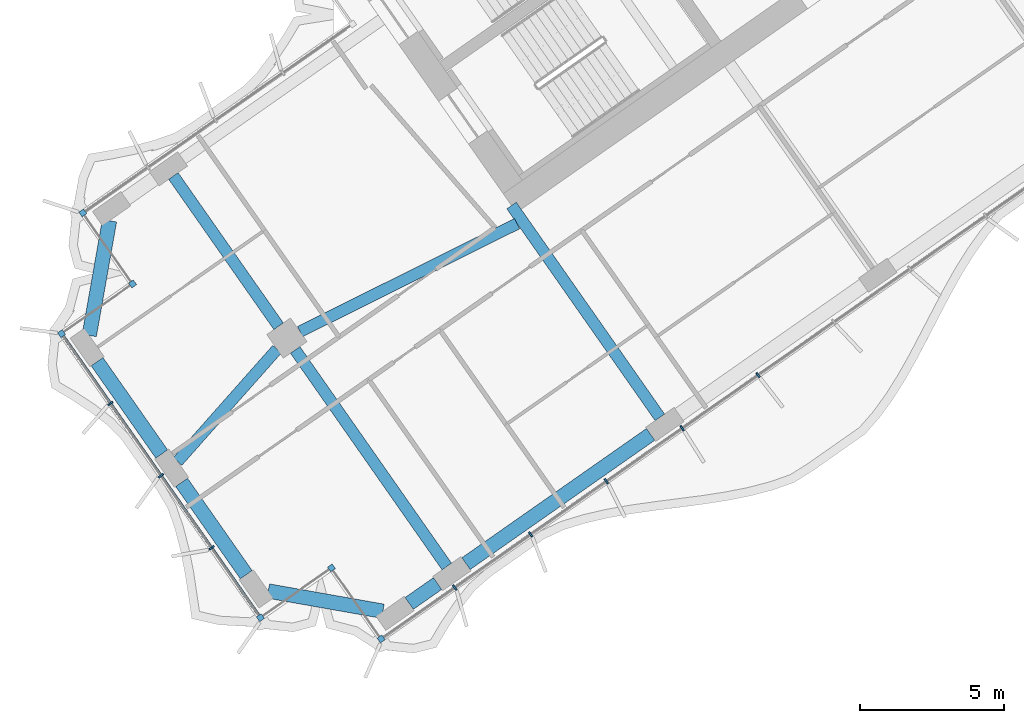
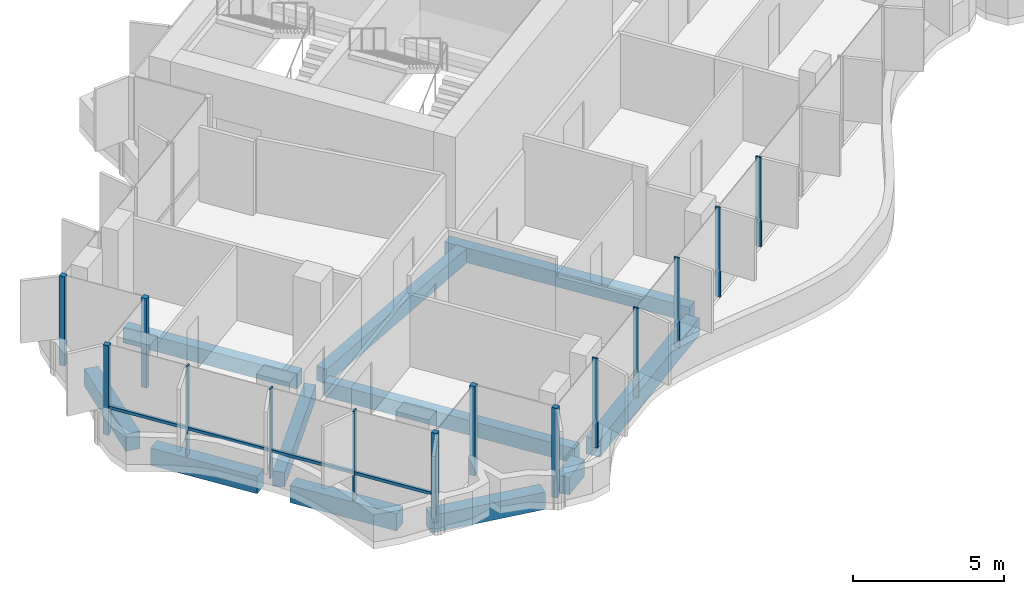
# One storey, part 2 of 23: 15 members, 11 beams, 1 element without a shape of its own.
"""IFC4 building model written with IfcOpenShell, lengths in metres."""

from ifc_helpers import new_model, si_unit, direction, frame, origin, origin_2d, place, context, subcontext, project, spatial, rectangle, extrude, material, material_profile, profile_set, type_object, element, aggregate, save


model = new_model("IFC4")

# Units and contexts
model_context = context("Model", 3, precision=1e-05, world=origin(), true_north=direction((0.0, 1.0)))
body_context = subcontext(model_context, "Body", "Model", "MODEL_VIEW")
ifc_project = project(units=[si_unit("LENGTHUNIT", "METRE"), si_unit("AREAUNIT", "SQUARE_METRE"), si_unit("VOLUMEUNIT", "CUBIC_METRE"), si_unit("PLANEANGLEUNIT", "RADIAN"), si_unit("MASSUNIT", "GRAM", prefix="KILO")], contexts=[model_context])

# Site, building, storey
site_placement = place(None, origin())
site = spatial("IfcSite", under=ifc_project, at=site_placement, CompositionType="ELEMENT")
building_placement = place(site_placement, origin())
building = spatial("IfcBuilding", under=site, at=building_placement, Name="Tel Ilan Convention Tower", CompositionType="ELEMENT")
storey_placement = place(building_placement, frame((0.0, 0.0, 190.5)))
storey = spatial("IfcBuildingStorey", under=building, at=storey_placement, Name="L44", CompositionType="ELEMENT", Elevation=190.5)

# Beams
ifc_material_1 = material(Name="Concrete C40/50", Category="concrete")
ifc_material_profile_1 = material_profile(ifc_material_1, rectangle(XDim=0.39990234375, YDim=0.60009765625, at=origin_2d()), Name="RC 400x600")
ifc_profile_set_1 = profile_set([ifc_material_profile_1], Name="Concrete C40/50")
beam_type_1 = type_object("IfcBeamType", Name="Beam RC 400x600 Concrete C40/50", PredefinedType="BEAM", material=ifc_profile_set_1)
beam_1_placement = place(storey_placement, frame((-16.58203125, -23.391357421875, -0.580078125), z_axis=(-0.573584999642, 0.819146048141, 0.0), x_axis=(-0.819146048141, -0.573584999642, 0.0)))
element("IfcBeam", 1, at=beam_1_placement, inside=storey, type_object=beam_type_1, Name="L44 beam W-W-F3-core", PredefinedType="BEAM", context=body_context, shape_type="SweptSolid", body=[
    extrude(rectangle(XDim=0.39990234375, YDim=0.60009765625, at=origin_2d()), origin(), (0.0, 0.0, 1.0), 8.949951171875),
])
beam_2_placement = place(storey_placement, frame((-21.52099609375, -16.686279296875, -0.580078125), z_axis=(-0.895402365524, -0.445257907076, 0.0), x_axis=(0.445257907076, -0.895402365524, 0.0)))
element("IfcBeam", 2, at=beam_2_placement, inside=storey, type_object=beam_type_1, Name="L44 beam W-core-W-M4", PredefinedType="BEAM", context=body_context, shape_type="SweptSolid", body=[
    extrude(rectangle(XDim=0.39990234375, YDim=0.60009765625, at=origin_2d()), origin(), (0.0, 0.0, 1.0), 8.3935546875),
])
beam_3_placement = place(storey_placement, frame((-29.830322265625, -21.03369140625, -0.580078125), z_axis=(-0.663175252401, -0.748464150512, 0.0), x_axis=(0.748464150512, -0.663175252401, 0.0)))
element("IfcBeam", 3, at=beam_3_placement, inside=storey, type_object=beam_type_1, Name="L44 beam W-W-M4-end", PredefinedType="BEAM", context=body_context, shape_type="SweptSolid", body=[
    extrude(rectangle(XDim=0.39990234375, YDim=0.60009765625, at=origin_2d()), origin(), (0.0, 0.0, 1.0), 5.192626953125),
])
beam_4_placement = place(storey_placement, frame((-29.20263671875, -21.058349609375, -0.580078125), z_axis=(0.573557249804, -0.819165478519, 0.0), x_axis=(0.819165478519, 0.573557249804, 0.0)))
element("IfcBeam", 4, at=beam_4_placement, inside=storey, type_object=beam_type_1, Name="L44 beam W-W-M4-W-F4", PredefinedType="BEAM", context=body_context, shape_type="SweptSolid", body=[
    extrude(rectangle(XDim=0.39990234375, YDim=0.60009765625, at=origin_2d()), origin(), (0.0, 0.0, 1.0), 9.14990234375),
])
beam_5_placement = place(storey_placement, frame((-29.7763671875, -20.2392578125, -0.580078125), z_axis=(-0.573560394383, 0.819163276762, 0.0), x_axis=(-0.819163276762, -0.573560394383, 0.0)))
element("IfcBeam", 5, at=beam_5_placement, inside=storey, type_object=beam_type_1, Name="L44 beam W-W-M4-W-B4", PredefinedType="BEAM", context=body_context, shape_type="SweptSolid", body=[
    extrude(rectangle(XDim=0.39990234375, YDim=0.60009765625, at=origin_2d()), origin(), (0.0, 0.0, 1.0), 6.349853515625),
])
ifc_material_2 = material(Name="Concrete C40/50", Category="concrete")
ifc_material_profile_2 = material_profile(ifc_material_2, rectangle(XDim=0.5, YDim=0.699951171875, at=origin_2d()), Name="RC 500x700")
ifc_profile_set_2 = profile_set([ifc_material_profile_2], Name="Concrete C40/50")
beam_type_2 = type_object("IfcBeamType", Name="Beam RC 500x700 Concrete C40/50", PredefinedType="BEAM", material=ifc_profile_set_2)
beam_6_placement = place(storey_placement, frame((-16.901611328125, -23.981201171875, -0.6298828125), z_axis=(-0.819153977895, -0.573573674866, 0.0), x_axis=(0.573573674866, -0.819153977895, 0.0)))
element("IfcBeam", 6, at=beam_6_placement, inside=storey, type_object=beam_type_2, Name="L44 beam W-W-F3-W-F4", PredefinedType="BEAM", context=body_context, shape_type="SweptSolid", body=[
    extrude(rectangle(XDim=0.5, YDim=0.699951171875, at=origin_2d()), origin(), (0.0, 0.0, 1.0), 7.800048828125),
])
beam_7_placement = place(storey_placement, frame((-24.27392578125, -29.1435546875, -0.6298828125), z_axis=(-0.819155442668, -0.573571582932, 0.0), x_axis=(0.573571582932, -0.819155442668, 0.0)))
element("IfcBeam", 7, at=beam_7_placement, inside=storey, type_object=beam_type_2, Name="L44 beam W-W-F4-W-FC", PredefinedType="BEAM", context=body_context, shape_type="SweptSolid", body=[
    extrude(rectangle(XDim=0.5, YDim=0.699951171875, at=origin_2d()), origin(), (0.0, 0.0, 1.0), 1.199951171875),
])
beam_8_placement = place(storey_placement, frame((-26.166259765625, -30.102294921875, -0.6298828125), z_axis=(-0.984804894423, 0.173664388751, 0.0), x_axis=(-0.173664388751, -0.984804894423, 0.0)))
element("IfcBeam", 8, at=beam_8_placement, inside=storey, type_object=beam_type_2, Name="L44 beam W-W-FC-W-E1", PredefinedType="BEAM", context=body_context, shape_type="SweptSolid", body=[
    extrude(rectangle(XDim=0.5, YDim=0.699951171875, at=origin_2d()), origin(), (0.0, 0.0, 1.0), 4.030517578125),
])
for number, where, z_axis, x_axis, name in (
    (9, (-30.8974609375, -28.837158203125, -0.6298828125), (-0.573609383536, 0.819128973434, 0.0), (-0.819128973434, -0.573609383536, 0.0), "L44 beam W-W-E1-W-E2"),
    (10, (-33.82275390625, -24.659423828125, -0.6298828125), (-0.573567378001, 0.81915838694, 0.0), (-0.81915838694, -0.573567378001, 0.0), "L44 beam W-W-E2-W-E3"),
):
    element("IfcBeam", number, at=place(storey_placement, frame(where, z_axis=z_axis, x_axis=x_axis)), inside=storey, type_object=beam_type_2, Name=name, PredefinedType="BEAM", context=body_context, shape_type="SweptSolid", body=[
        extrude(rectangle(XDim=0.5, YDim=0.699951171875, at=origin_2d()), origin(), (0.0, 0.0, 1.0), 3.89990234375),
    ])
beam_9_placement = place(storey_placement, frame((-36.330078125, -20.555419921875, -0.6298828125), z_axis=(0.173664388751, 0.984804894423, 0.0), x_axis=(-0.984804894423, 0.173664388751, 0.0)))
element("IfcBeam", 11, at=beam_9_placement, inside=storey, type_object=beam_type_2, Name="L44 beam W-W-E3-W-BC", PredefinedType="BEAM", context=body_context, shape_type="SweptSolid", body=[
    extrude(rectangle(XDim=0.5, YDim=0.699951171875, at=origin_2d()), origin(), (0.0, 0.0, 1.0), 4.030517578125),
])

# Curtain wall, members
ifc_material_3 = material(Name="Aluminium, bronze anodised", Category="aluminium")
curtain_wall_type = type_object("IfcCurtainWallType", Name="CW4 STICK CURTAIN WALL, OFFICE TINTED GLASS", PredefinedType="NOTDEFINED", material=ifc_material_3)
curtain_wall_placement = place(storey_placement, origin())
curtain_wall = element("IfcCurtainWall", 12, at=curtain_wall_placement, inside=storey, type_object=curtain_wall_type, Name="Curtain wall CW4-34.04", PredefinedType="NOTDEFINED")
ifc_material_4 = material(Name="Aluminium, bronze anodised", Category="aluminium")
ifc_material_profile_3 = material_profile(ifc_material_4, rectangle(XDim=0.199951171875, YDim=0.199951171875, at=origin_2d()), Name="CW CORNER MULLION 200x200")
ifc_profile_set_3 = profile_set([ifc_material_profile_3], Name="Aluminium, bronze anodised")
member_type_1 = type_object("IfcMemberType", Name="CW CORNER MULLION 200x200", PredefinedType="MULLION", material=ifc_profile_set_3)
member_1_placement = place(storey_placement, frame((-36.5517578125, -16.31591796875, 0.0), z_axis=(0.0, 0.0, 1.0), x_axis=(-0.819152044289, -0.573576436351, 0.0)))
member_1 = element("IfcMember", 13, at=member_1_placement, type_object=member_type_1, Name="Corner mullion", PredefinedType="MULLION", context=body_context, shape_type="SweptSolid", body=[
    extrude(rectangle(XDim=0.199951171875, YDim=0.199951171875, at=origin_2d()), origin(), (0.0, 0.0, 1.0), 3.6201171875),
])
member_2_placement = place(storey_placement, frame((-34.8310546875, -18.7734375, 0.0), z_axis=(0.0, 0.0, 1.0), x_axis=(0.573576436351, -0.819152044289, 0.0)))
member_2 = element("IfcMember", 14, at=member_2_placement, type_object=member_type_1, Name="Corner mullion", PredefinedType="MULLION", context=body_context, shape_type="SweptSolid", body=[
    extrude(rectangle(XDim=0.199951171875, YDim=0.199951171875, at=origin_2d()), origin(), (0.0, 0.0, 1.0), 3.6201171875),
])
member_3_placement = place(storey_placement, frame((-37.28857421875, -20.494140625, 0.0), z_axis=(0.0, 0.0, 1.0), x_axis=(-0.819152044289, -0.573576436351, 0.0)))
member_3 = element("IfcMember", 15, at=member_3_placement, type_object=member_type_1, Name="Corner mullion", PredefinedType="MULLION", context=body_context, shape_type="SweptSolid", body=[
    extrude(rectangle(XDim=0.199951171875, YDim=0.199951171875, at=origin_2d()), origin(), (0.0, 0.0, 1.0), 3.6201171875),
])
member_4_placement = place(storey_placement, frame((-30.40576171875, -30.323974609375, 0.0), z_axis=(0.0, 0.0, 1.0), x_axis=(0.573576436351, -0.819152044289, 0.0)))
member_4 = element("IfcMember", 16, at=member_4_placement, type_object=member_type_1, Name="Corner mullion", PredefinedType="MULLION", context=body_context, shape_type="SweptSolid", body=[
    extrude(rectangle(XDim=0.199951171875, YDim=0.199951171875, at=origin_2d()), origin(), (0.0, 0.0, 1.0), 3.6201171875),
])
member_5_placement = place(storey_placement, frame((-27.9482421875, -28.603271484375, 0.0), z_axis=(0.0, 0.0, 1.0), x_axis=(0.819152044289, 0.573576436351, 0.0)))
member_5 = element("IfcMember", 17, at=member_5_placement, type_object=member_type_1, Name="Corner mullion", PredefinedType="MULLION", context=body_context, shape_type="SweptSolid", body=[
    extrude(rectangle(XDim=0.199951171875, YDim=0.199951171875, at=origin_2d()), origin(), (0.0, 0.0, 1.0), 3.6201171875),
])
member_6_placement = place(storey_placement, frame((-26.2275390625, -31.060791015625, 0.0), z_axis=(0.0, 0.0, 1.0), x_axis=(0.573576436351, -0.819152044289, 0.0)))
member_6 = element("IfcMember", 18, at=member_6_placement, type_object=member_type_1, Name="Corner mullion", PredefinedType="MULLION", context=body_context, shape_type="SweptSolid", body=[
    extrude(rectangle(XDim=0.199951171875, YDim=0.199951171875, at=origin_2d()), origin(), (0.0, 0.0, 1.0), 3.6201171875),
])
ifc_material_5 = material(Name="Aluminium, bronze anodised", Category="aluminium")
ifc_material_profile_4 = material_profile(ifc_material_5, rectangle(XDim=0.06005859375, YDim=0.199951171875, at=origin_2d()), Name="CW MULLION 60x200")
ifc_profile_set_4 = profile_set([ifc_material_profile_4], Name="Aluminium, bronze anodised")
member_type_2 = type_object("IfcMemberType", Name="CW MULLION 60x200", PredefinedType="MULLION", material=ifc_profile_set_4)
member_7_placement = place(storey_placement, frame((-35.596435546875, -22.91064453125, 0.0), z_axis=(0.0, 0.0, 1.0), x_axis=(0.573576436351, -0.819152044289, 0.0)))
member_7 = element("IfcMember", 19, at=member_7_placement, type_object=member_type_2, Name="Mullion", PredefinedType="MULLION", context=body_context, shape_type="SweptSolid", body=[
    extrude(rectangle(XDim=0.06005859375, YDim=0.199951171875, at=origin_2d()), origin(), (0.0, 0.0, 1.0), 3.6201171875),
])
member_8_placement = place(storey_placement, frame((-33.84716796875, -25.4091796875, 0.0), z_axis=(0.0, 0.0, 1.0), x_axis=(0.573576436351, -0.819152044289, 0.0)))
member_8 = element("IfcMember", 20, at=member_8_placement, type_object=member_type_2, Name="Mullion", PredefinedType="MULLION", context=body_context, shape_type="SweptSolid", body=[
    extrude(rectangle(XDim=0.06005859375, YDim=0.199951171875, at=origin_2d()), origin(), (0.0, 0.0, 1.0), 3.6201171875),
])
member_9_placement = place(storey_placement, frame((-32.09765625, -27.907470703125, 0.0), z_axis=(0.0, 0.0, 1.0), x_axis=(0.573576436351, -0.819152044289, 0.0)))
member_9 = element("IfcMember", 21, at=member_9_placement, type_object=member_type_2, Name="Mullion", PredefinedType="MULLION", context=body_context, shape_type="SweptSolid", body=[
    extrude(rectangle(XDim=0.06005859375, YDim=0.199951171875, at=origin_2d()), origin(), (0.0, 0.0, 1.0), 3.6201171875),
])
member_10_placement = place(storey_placement, frame((-23.68408203125, -29.27978515625, 0.0), z_axis=(0.0, 0.0, 1.0), x_axis=(0.819152044289, 0.573576436351, 0.0)))
member_10 = element("IfcMember", 22, at=member_10_placement, type_object=member_type_2, Name="Mullion", PredefinedType="MULLION", context=body_context, shape_type="SweptSolid", body=[
    extrude(rectangle(XDim=0.06005859375, YDim=0.199951171875, at=origin_2d()), origin(), (0.0, 0.0, 1.0), 3.6201171875),
])
member_11_placement = place(storey_placement, frame((-21.05908203125, -27.441650390625, 0.0), z_axis=(0.0, 0.0, 1.0), x_axis=(0.819152044289, 0.573576436351, 0.0)))
member_11 = element("IfcMember", 23, at=member_11_placement, type_object=member_type_2, Name="Mullion", PredefinedType="MULLION", context=body_context, shape_type="SweptSolid", body=[
    extrude(rectangle(XDim=0.06005859375, YDim=0.199951171875, at=origin_2d()), origin(), (0.0, 0.0, 1.0), 3.6201171875),
])
member_12_placement = place(storey_placement, frame((-18.433837890625, -25.603515625, 0.0), z_axis=(0.0, 0.0, 1.0), x_axis=(0.819152044289, 0.573576436351, 0.0)))
member_12 = element("IfcMember", 24, at=member_12_placement, type_object=member_type_2, Name="Mullion", PredefinedType="MULLION", context=body_context, shape_type="SweptSolid", body=[
    extrude(rectangle(XDim=0.06005859375, YDim=0.199951171875, at=origin_2d()), origin(), (0.0, 0.0, 1.0), 3.6201171875),
])
member_13_placement = place(storey_placement, frame((-15.80859375, -23.765380859375, 0.0), z_axis=(0.0, 0.0, 1.0), x_axis=(0.819152044289, 0.573576436351, 0.0)))
member_13 = element("IfcMember", 25, at=member_13_placement, type_object=member_type_2, Name="Mullion", PredefinedType="MULLION", context=body_context, shape_type="SweptSolid", body=[
    extrude(rectangle(XDim=0.06005859375, YDim=0.199951171875, at=origin_2d()), origin(), (0.0, 0.0, 1.0), 3.6201171875),
])
member_14_placement = place(storey_placement, frame((-13.183349609375, -21.92724609375, 0.0), z_axis=(0.0, 0.0, 1.0), x_axis=(0.819152044289, 0.573576436351, 0.0)))
member_14 = element("IfcMember", 26, at=member_14_placement, type_object=member_type_2, Name="Mullion", PredefinedType="MULLION", context=body_context, shape_type="SweptSolid", body=[
    extrude(rectangle(XDim=0.06005859375, YDim=0.199951171875, at=origin_2d()), origin(), (0.0, 0.0, 1.0), 3.6201171875),
])
ifc_material_6 = material(Name="Aluminium, bronze anodised", Category="aluminium")
ifc_material_profile_5 = material_profile(ifc_material_6, rectangle(XDim=0.10009765625, YDim=0.1201171875, at=origin_2d()), Name="CW TRANSOM 100x120")
ifc_profile_set_5 = profile_set([ifc_material_profile_5], Name="Aluminium, bronze anodised")
member_type_3 = type_object("IfcMemberType", Name="CW TRANSOM 100x120", PredefinedType="USERDEFINED", material=ifc_profile_set_5)
member_15_placement = place(storey_placement, frame((-37.231201171875, -20.576171875, 1.10009765625), z_axis=(0.573567872435, -0.819158040741, 0.0), x_axis=(0.819158040741, 0.573567872435, 0.0)))
member_15 = element("IfcMember", 27, at=member_15_placement, type_object=member_type_3, Name="Transom", ObjectType="TRANSOM", PredefinedType="USERDEFINED", context=body_context, shape_type="SweptSolid", body=[
    extrude(rectangle(XDim=0.10009765625, YDim=0.1201171875, at=origin_2d()), origin(), (0.0, 0.0, 1.0), 11.800048828125),
])
aggregate(curtain_wall, [member_1, member_2, member_3, member_7, member_8, member_9, member_4, member_15, member_5, member_6, member_10, member_11, member_12, member_13, member_14])

save(model, "model.ifc")
